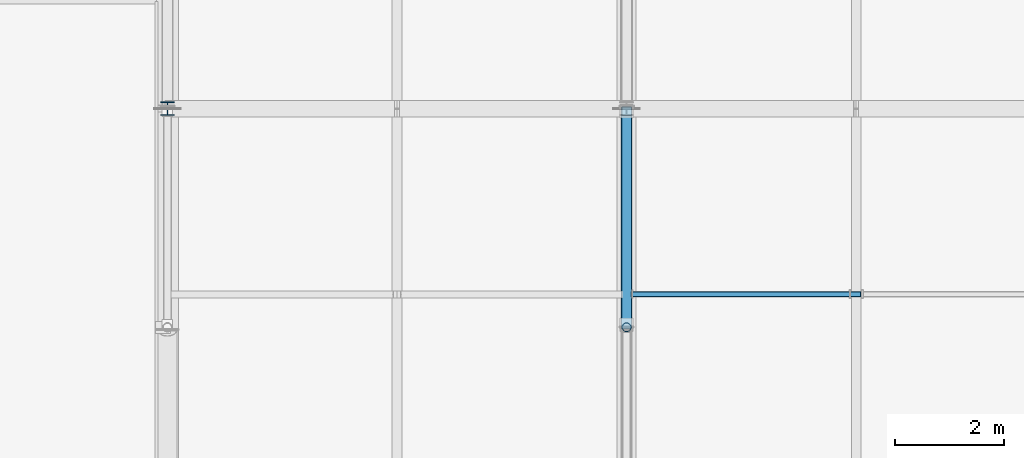
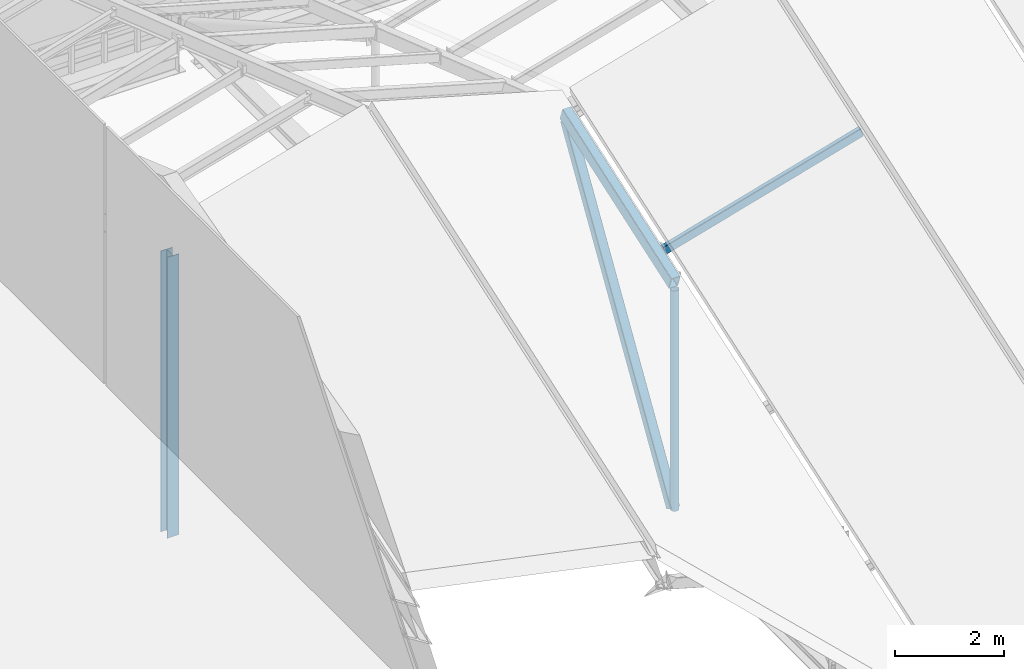
# One storey, part 11 of 77: 5 members.
"""IFC4 building model written with IfcOpenShell, lengths in metres."""

from ifc_helpers import new_model, si_unit, direction, frame, origin, origin_2d, place, context, subcontext, project, spatial, hollow_rectangle, hollow_circle, i_section, extrude, material, material_profile, profile_set, type_object, element, save


model = new_model("IFC4")

# Units and contexts
model_context = context("Model", 3, precision=1e-05, world=origin(), true_north=direction((0.0, 1.0)))
body_context = subcontext(model_context, "Body", "Model", "MODEL_VIEW")
ifc_project = project(units=[si_unit("LENGTHUNIT", "METRE"), si_unit("AREAUNIT", "SQUARE_METRE"), si_unit("VOLUMEUNIT", "CUBIC_METRE"), si_unit("PLANEANGLEUNIT", "RADIAN"), si_unit("MASSUNIT", "GRAM", prefix="KILO")], contexts=[model_context])

# Site, building, storey
site_placement = place(None, origin())
site = spatial("IfcSite", under=ifc_project, at=site_placement, CompositionType="ELEMENT")
building_placement = place(site_placement, origin())
building = spatial("IfcBuilding", under=site, at=building_placement, Name="Larkvane Passage Sports Hall", CompositionType="ELEMENT")
storey_placement = place(building_placement, frame((0.0, 0.0, 22.199951171875)))
storey = spatial("IfcBuildingStorey", under=building, at=storey_placement, Name="RF", CompositionType="ELEMENT", Elevation=22.199951171875)

# Members
ifc_material_1 = material(Name="Steel S355JR", Category="steel")
ifc_material_profile_1 = material_profile(ifc_material_1, hollow_rectangle(XDim=0.199951171875, YDim=0.199951171875, WallThickness=0.009033203125, InnerFilletRadius=0.009033203125, OuterFilletRadius=0.01806640625, at=origin_2d()), Name="SHS-200x200x9")
ifc_profile_set_1 = profile_set([ifc_material_profile_1], Name="Steel S355JR")
member_type_1 = type_object("IfcMemberType", Name="MBR-BR-SHS200", PredefinedType="BRACE", material=ifc_profile_set_1)
member_1_placement = place(storey_placement, frame((43.199951171875, 57.64990234375, 0.215087890625), z_axis=(0.0, 0.52486529604, 0.851185303569), x_axis=(-1.0, 0.0, 0.0)))
element("IfcMember", 1, at=member_1_placement, inside=storey, type_object=member_type_1, Name="Arena roof truss 2 web brace 4", PredefinedType="BRACE", context=body_context, shape_type="SweptSolid", body=[
    extrude(hollow_rectangle(XDim=0.199951171875, YDim=0.199951171875, WallThickness=0.009033203125, InnerFilletRadius=0.009033203125, OuterFilletRadius=0.01806640625, at=origin_2d()), origin(), (0.0, 0.0, 1.0), 7.4306640625),
])
ifc_material_2 = material(Name="Steel S460N", Category="steel")
ifc_material_profile_2 = material_profile(ifc_material_2, hollow_rectangle(XDim=0.199951171875, YDim=0.300048828125, WallThickness=0.011962890625, InnerFilletRadius=0.011962890625, OuterFilletRadius=0.02392578125, at=origin_2d()), Name="RHS-300x200x12")
ifc_profile_set_2 = profile_set([ifc_material_profile_2], Name="Steel S460N")
member_type_2 = type_object("IfcMemberType", Name="MBR-CH-RHS300", PredefinedType="CHORD", material=ifc_profile_set_2)
member_2_placement = place(storey_placement, frame((43.199951171875, 57.60009765625, 5.29833984375), z_axis=(0.0, 0.945206714131, 0.326472460649), x_axis=(-1.0, 0.0, 0.0)))
element("IfcMember", 2, at=member_2_placement, inside=storey, type_object=member_type_2, Name="Arena roof truss 2 top chord 4", PredefinedType="CHORD", context=body_context, shape_type="SweptSolid", body=[
    extrude(hollow_rectangle(XDim=0.199951171875, YDim=0.300048828125, WallThickness=0.011962890625, InnerFilletRadius=0.011962890625, OuterFilletRadius=0.02392578125, at=origin_2d()), origin(), (0.0, 0.0, 1.0), 4.23193359375),
])
ifc_material_profile_3 = material_profile(ifc_material_1, hollow_rectangle(XDim=0.10009765625, YDim=0.199951171875, WallThickness=0.008056640625, InnerFilletRadius=0.008056640625, OuterFilletRadius=0.01611328125, at=origin_2d()), Name="RHS-200x100x8")
ifc_profile_set_3 = profile_set([ifc_material_profile_3], Name="Steel S355JR")
member_type_3 = type_object("IfcMemberType", Name="MBR-PR-RHS200", PredefinedType="PURLIN", material=ifc_profile_set_3)
member_3_placement = place(storey_placement, frame((43.3056640625, 58.207763671875, 5.614501953125), z_axis=(0.96152605678, 0.0, 0.274713745804), x_axis=(0.0, 1.0, 0.0)))
element("IfcMember", 3, at=member_3_placement, inside=storey, type_object=member_type_3, Name="Folded roof purlin FRP-B2-SW-5", PredefinedType="PURLIN", context=body_context, shape_type="SweptSolid", body=[
    extrude(hollow_rectangle(XDim=0.10009765625, YDim=0.199951171875, WallThickness=0.008056640625, InnerFilletRadius=0.008056640625, OuterFilletRadius=0.01611328125, at=origin_2d()), origin(), (0.0, 0.0, 1.0), 4.367919921875),
])
ifc_material_profile_4 = material_profile(ifc_material_1, hollow_circle(Radius=0.08251953125, WallThickness=0.006103515625, at=origin_2d()), Name="CHS-165.2x6.0")
ifc_profile_set_4 = profile_set([ifc_material_profile_4], Name="Steel S355JR")
member_type_4 = type_object("IfcMemberType", Name="MBR-ST-CHS165", PredefinedType="STRUT", material=ifc_profile_set_4)
member_4_placement = place(storey_placement, frame((43.199951171875, 57.60009765625, 0.215087890625), z_axis=(0.0, 0.0, 1.0), x_axis=(1.0, 0.0, 0.0)))
element("IfcMember", 4, at=member_4_placement, inside=storey, type_object=member_type_4, Name="Arena roof truss 2 vertical strut 3", PredefinedType="STRUT", context=body_context, shape_type="SweptSolid", body=[
    extrude(hollow_circle(Radius=0.08251953125, WallThickness=0.006103515625, at=origin_2d()), origin(), (0.0, 0.0, 1.0), 4.943115234375),
])
ifc_material_profile_5 = material_profile(ifc_material_1, i_section(OverallWidth=0.25, OverallDepth=0.25, WebThickness=0.009033203125, FlangeThickness=0.013916015625, FilletRadius=0.012939453125, at=origin_2d()), Name="H-250x250x9x14")
ifc_profile_set_5 = profile_set([ifc_material_profile_5], Name="Steel S355JR")
member_type_5 = type_object("IfcMemberType", Name="MBR-ST-H250", PredefinedType="STRUT", material=ifc_profile_set_5)
member_5_placement = place(storey_placement, frame((34.800048828125, 61.60009765625, 0.18994140625), z_axis=(0.0, 0.0, 1.0), x_axis=(1.0, 0.0, 0.0)))
element("IfcMember", 5, at=member_5_placement, inside=storey, type_object=member_type_5, Name="Arena roof truss 1 vertical strut 4", PredefinedType="STRUT", context=body_context, shape_type="SweptSolid", body=[
    extrude(i_section(OverallWidth=0.25, OverallDepth=0.25, WebThickness=0.009033203125, FlangeThickness=0.013916015625, FilletRadius=0.012939453125, at=origin_2d()), origin(), (0.0, 0.0, 1.0), 6.300048828125),
])

save(model, "model.ifc")
